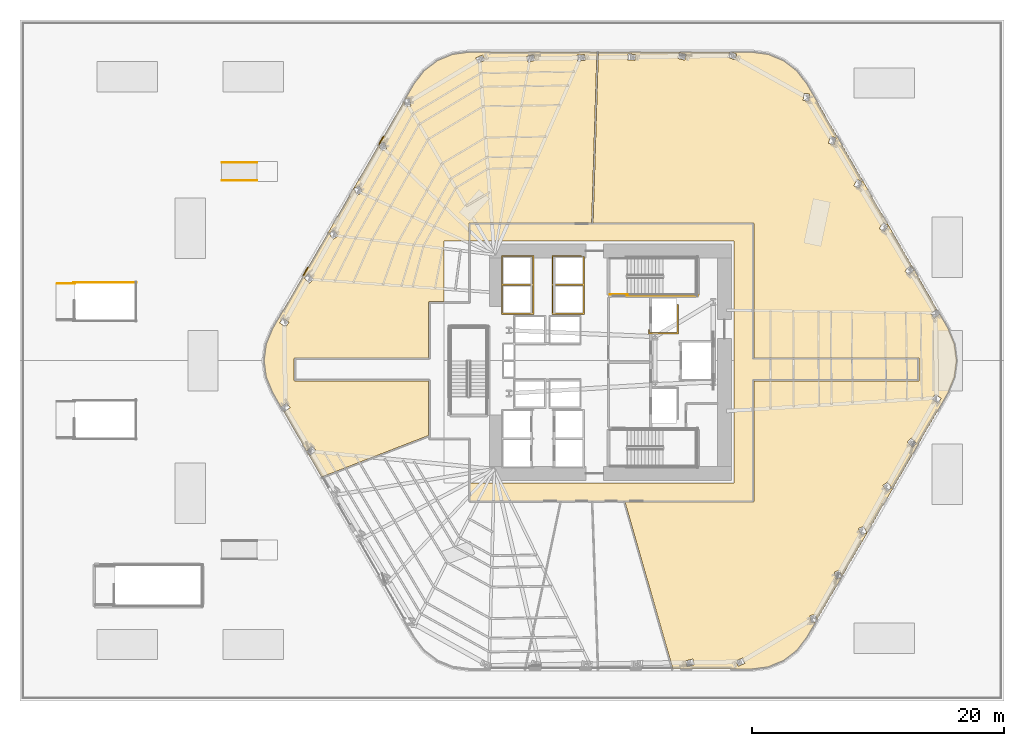
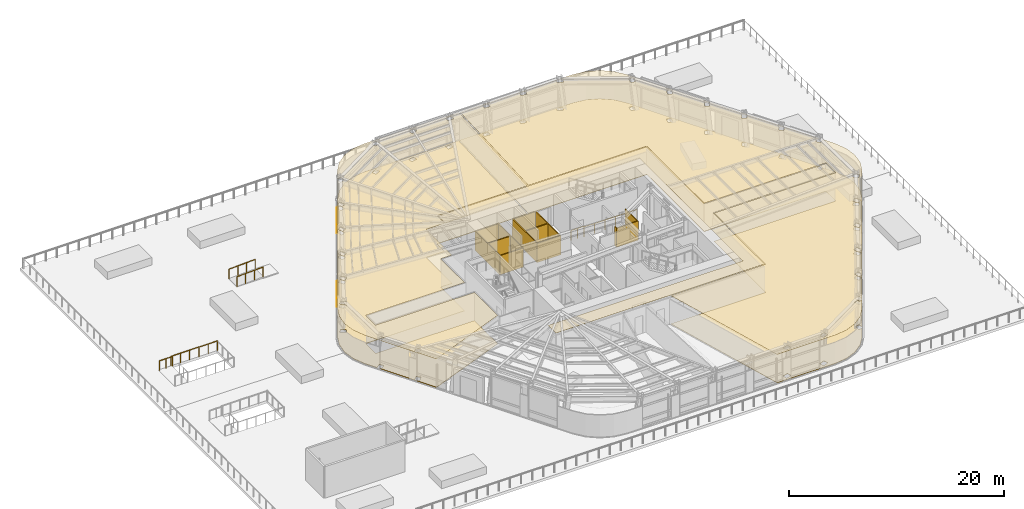
# One storey, part 14 of 18: 10 coverings, 6 railings.
"""IFC4 building model written with IfcOpenShell, lengths in metres."""

from ifc_helpers import new_model, si_unit, direction, frame, origin, origin_2d, place, context, subcontext, project, spatial, polyline, circle, outline, extrude, material, layer, layer_set, type_object, element, save


model = new_model("IFC4")

# Units and contexts
model_context = context("Model", 3, precision=1e-05, world=origin(), true_north=direction((0.0, 1.0)))
body_context = subcontext(model_context, "Body", "Model", "MODEL_VIEW")
ifc_project = project(units=[si_unit("LENGTHUNIT", "METRE"), si_unit("AREAUNIT", "SQUARE_METRE"), si_unit("VOLUMEUNIT", "CUBIC_METRE"), si_unit("PLANEANGLEUNIT", "RADIAN"), si_unit("MASSUNIT", "GRAM", prefix="KILO")], contexts=[model_context])

# Site, building, storey
site_placement = place(None, origin())
site = spatial("IfcSite", under=ifc_project, at=site_placement, CompositionType="ELEMENT")
building_placement = place(site_placement, origin())
building = spatial("IfcBuilding", under=site, at=building_placement, Name="Valkerne Bourse Tower", CompositionType="ELEMENT")
storey_placement = place(building_placement, frame((0.0, 0.0, 24.0)))
storey = spatial("IfcBuildingStorey", under=building, at=storey_placement, Name="L05", CompositionType="ELEMENT", Elevation=24.0)

# Coverings
ifc_material_1 = material(Name="Mineral Fiber Acoustic Ceiling Tile", Category="acoustic")
ifc_layer_1 = layer(ifc_material_1, 0.02490234375)
ifc_layer_set_1 = layer_set([ifc_layer_1], Name="Mineral Fiber Acoustic Ceiling Tile")
covering_type_1 = type_object("IfcCoveringType", Name="COV-CEIL-ACT", PredefinedType="CEILING", material=ifc_layer_set_1)
covering_1_placement = place(storey_placement, frame((0.0, 0.0, 3.22998046875)))
element("IfcCovering", 1, at=covering_1_placement, inside=storey, type_object=covering_type_1, Name="L05 Suspended Ceiling 06", PredefinedType="CEILING", context=body_context, shape_type="SweptSolid", body=[
    extrude(outline(polyline([(19.349609375, 27.0), (19.52197265625, 28.308349609375), (20.030517578125, 29.5361328125), (28.461669921875, 44.139404296875), (28.614990234375, 43.623779296875), (29.057373046875, 43.75341796875), (29.059814453125, 43.755859375), (28.8955078125, 44.30810546875), (28.49072265625, 44.189697265625), (30.453125, 47.5888671875), (30.51708984375, 47.1357421875), (30.9736328125, 47.19775390625), (30.9765625, 47.199951171875), (30.896240234375, 47.7705078125), (30.529296875, 47.720703125), (31.218994140625, 48.914794921875), (32.028076171875, 49.969482421875), (33.07470703125, 50.772705078125), (34.2939453125, 51.277587890625), (35.611572265625, 51.451171875), (45.728759765625, 51.451171875), (45.3115234375, 37.9189453125), (35.6494140625, 37.9189453125), (35.604248046875, 37.90185546875), (35.58740234375, 37.87890625), (35.5810546875, 37.850341796875), (35.5810546875, 36.5), (33.60009765625, 36.5), (33.60009765625, 31.6689453125), (32.449462890625, 31.6689453125), (32.419921875, 31.662109375), (32.39404296875, 31.640625), (32.381103515625, 31.6005859375), (32.381103515625, 27.218994140625), (21.79931640625, 27.218994140625), (21.763916015625, 27.208984375), (21.7373046875, 27.17919921875), (21.73095703125, 27.150390625), (21.731201171875, 25.446533203125), (21.748291015625, 25.40380859375), (21.7890625, 25.3818359375), (32.381103515625, 25.381103515625), (32.381103515625, 21.064208984375), (23.8955078125, 17.769775390625), (22.72314453125, 19.800048828125), (23.053466796875, 19.4873046875), (23.451416015625, 19.904052734375), (23.450439453125, 19.907470703125), (23.11572265625, 20.224365234375), (22.718505859375, 19.808349609375), (20.80810546875, 23.1171875), (20.95458984375, 22.9296875), (21.410400390625, 23.2822265625), (21.409912109375, 23.285888671875), (21.126220703125, 23.64892578125), (20.694091796875, 23.314697265625), (20.030517578125, 24.4638671875), (19.52197265625, 25.691650390625), (19.349609375, 27.0)]), holes=[polyline([(21.31982421875, 30.030517578125), (20.858642578125, 30.375732421875), (20.58056640625, 30.008544921875), (20.580078125, 30.0048828125), (21.041259765625, 29.6591796875), (21.3193359375, 30.026611328125), (21.31982421875, 30.030517578125)]), polyline([(23.26806640625, 33.458740234375), (23.268798828125, 33.462158203125), (22.864501953125, 33.87255859375), (22.53466796875, 33.550537109375), (22.53369140625, 33.547119140625), (22.938232421875, 33.13671875), (23.26806640625, 33.458740234375)]), polyline([(25.20849609375, 36.890625), (24.87548828125, 37.36083984375), (24.498291015625, 37.095947265625), (24.49658203125, 37.0927734375), (24.829833984375, 36.622802734375), (25.20703125, 36.8876953125), (25.20849609375, 36.890625)]), polyline([(27.136474609375, 40.3173828125), (27.138427734375, 40.3203125), (26.887451171875, 40.839111328125), (26.4716796875, 40.64013671875), (26.469482421875, 40.63720703125), (26.720703125, 40.11865234375), (27.136474609375, 40.3173828125)]), polyline([(36.316650390625, 50.571044921875), (36.844482421875, 50.79541015625), (36.66357421875, 51.221435546875), (36.66015625, 51.219970703125), (36.132080078125, 50.99560546875), (36.313232421875, 50.569580078125), (36.316650390625, 50.571044921875)]), polyline([(40.265380859375, 50.654052734375), (40.8212890625, 50.797119140625), (40.705810546875, 51.245361328125), (40.702392578125, 51.244384765625), (40.146484375, 51.10107421875), (40.261962890625, 50.653076171875), (40.265380859375, 50.654052734375)]), polyline([(44.7880859375, 50.798583984375), (44.74609375, 51.259521484375), (44.74267578125, 51.259033203125), (44.1708984375, 51.20703125), (44.212890625, 50.746337890625), (44.21630859375, 50.74658203125), (44.7880859375, 50.798583984375)])]), origin(), (0.0, 0.0, 1.0), 0.02490234375),
])
covering_2_placement = place(storey_placement, frame((0.0, 0.0, 3.22998046875)))
element("IfcCovering", 2, at=covering_2_placement, inside=storey, type_object=covering_type_1, Name="L05 Suspended Ceiling 07", PredefinedType="CEILING", context=body_context, shape_type="SweptSolid", body=[
    extrude(outline(polyline([(59.305908203125, 2.722412109375), (57.98828125, 2.548828125), (51.757080078125, 2.548828125), (47.962890625, 15.781005859375), (58.1005859375, 15.781005859375), (58.130126953125, 15.787841796875), (58.158935546875, 15.81396484375), (58.1689453125, 15.849365234375), (58.1689453125, 25.381103515625), (71.2099609375, 25.381591796875), (71.2509765625, 25.403076171875), (71.268798828125, 25.446533203125), (71.265380859375, 27.1728515625), (71.24072265625, 27.205810546875), (71.20068359375, 27.218994140625), (58.1689453125, 27.218994140625), (58.1689453125, 37.850341796875), (58.16259765625, 37.87890625), (58.145751953125, 37.90185546875), (58.1005859375, 37.9189453125), (45.4296875, 37.9189453125), (45.846923828125, 51.451171875), (56.271484375, 51.451171875), (56.111572265625, 51.058349609375), (56.114990234375, 51.056884765625), (56.646484375, 50.8408203125), (56.82080078125, 51.269287109375), (56.8173828125, 51.270751953125), (56.3740234375, 51.451171875), (57.98828125, 51.451171875), (59.305908203125, 51.277587890625), (60.525146484375, 50.772705078125), (61.572021484375, 49.969482421875), (62.381103515625, 48.914794921875), (70.876708984375, 34.199951171875), (70.546630859375, 34.5126953125), (70.1484375, 34.095947265625), (70.1494140625, 34.092529296875), (70.484130859375, 33.775634765625), (70.881591796875, 34.191650390625), (72.7919921875, 30.8828125), (72.645263671875, 31.0703125), (72.189697265625, 30.7177734375), (72.190185546875, 30.714111328125), (72.473876953125, 30.35107421875), (72.906005859375, 30.685302734375), (73.569580078125, 29.5361328125), (74.078125, 28.308349609375), (74.25048828125, 27.0), (74.078125, 25.691650390625), (73.569580078125, 24.4638671875), (65.13818359375, 9.860595703125), (64.98486328125, 10.376220703125), (64.54248046875, 10.24658203125), (64.5400390625, 10.244140625), (64.70458984375, 9.69189453125), (65.109130859375, 9.810302734375), (63.146728515625, 6.4111328125), (63.0830078125, 6.8642578125), (62.62646484375, 6.80224609375), (62.623291015625, 6.800048828125), (62.703857421875, 6.2294921875), (63.070556640625, 6.279296875), (62.381103515625, 5.085205078125), (61.572021484375, 4.030517578125), (60.525146484375, 3.227294921875), (59.305908203125, 2.722412109375)]), holes=[polyline([(53.453369140625, 2.89892578125), (53.337890625, 3.346923828125), (53.33447265625, 3.345947265625), (52.77880859375, 3.202880859375), (52.894287109375, 2.754638671875), (52.897705078125, 2.755615234375), (53.453369140625, 2.89892578125)]), polyline([(48.780517578125, 51.265380859375), (48.2080078125, 51.30859375), (48.204345703125, 51.308837890625), (48.169677734375, 50.847412109375), (48.7421875, 50.804443359375), (48.74560546875, 50.80419921875), (48.780517578125, 51.265380859375)]), polyline([(52.8056640625, 51.267333984375), (52.802001953125, 51.268310546875), (52.244140625, 51.40283203125), (52.1357421875, 50.952880859375), (52.13916015625, 50.9521484375), (52.697265625, 50.817626953125), (52.8056640625, 51.267333984375)]), polyline([(57.4677734375, 3.00439453125), (57.286865234375, 3.430419921875), (56.7587890625, 3.2060546875), (56.75537109375, 3.20458984375), (56.936279296875, 2.778564453125), (57.46435546875, 3.0029296875), (57.4677734375, 3.00439453125)]), polyline([(67.13037109375, 13.36279296875), (66.87939453125, 13.88134765625), (66.463623046875, 13.6826171875), (66.461669921875, 13.6796875), (66.712646484375, 13.160888671875), (67.12841796875, 13.35986328125), (67.13037109375, 13.36279296875)]), polyline([(69.101806640625, 16.904052734375), (69.103271484375, 16.9072265625), (68.77001953125, 17.377197265625), (68.392822265625, 17.1123046875), (68.391357421875, 17.109375), (68.724609375, 16.63916015625), (69.101806640625, 16.904052734375)]), polyline([(71.065185546875, 20.449462890625), (71.06640625, 20.452880859375), (70.661865234375, 20.86328125), (70.33203125, 20.541259765625), (70.3310546875, 20.537841796875), (70.735595703125, 20.12744140625), (71.065185546875, 20.449462890625)]), polyline([(73.019775390625, 23.9951171875), (72.55859375, 24.3408203125), (72.280517578125, 23.973388671875), (72.2802734375, 23.969482421875), (72.7412109375, 23.624267578125), (73.019287109375, 23.991455078125), (73.019775390625, 23.9951171875)]), polyline([(68.82373046875, 37.6875), (68.4423828125, 37.9462890625), (68.11669921875, 37.470947265625), (68.1181640625, 37.4677734375), (68.49951171875, 37.208984375), (68.825439453125, 37.684326171875), (68.82373046875, 37.6875)]), polyline([(66.758544921875, 41.1748046875), (66.756591796875, 41.177490234375), (66.337646484375, 41.3701171875), (66.094970703125, 40.847412109375), (66.096923828125, 40.844482421875), (66.515869140625, 40.652099609375), (66.758544921875, 41.1748046875)]), polyline([(64.683837890625, 44.659423828125), (64.681396484375, 44.662109375), (64.23681640625, 44.784423828125), (64.081298828125, 44.2294921875), (64.083740234375, 44.22705078125), (64.528076171875, 44.1044921875), (64.683837890625, 44.659423828125)]), polyline([(62.601318359375, 48.137451171875), (62.143798828125, 48.1923828125), (62.072265625, 47.62060546875), (62.075439453125, 47.618408203125), (62.53271484375, 47.5634765625), (62.604248046875, 48.13525390625), (62.601318359375, 48.137451171875)])]), origin(), (0.0, 0.0, 1.0), 0.02490234375),
])
ifc_material_2 = material(Name="Bronze Anodised Aluminium AA 6063-T6", Category="aluminium")
ifc_layer_2 = layer(ifc_material_2, 0.030029296875)
ifc_layer_set_2 = layer_set([ifc_layer_2], Name="Bronze Anodised Aluminium AA 6063-T6")
covering_type_2 = type_object("IfcCoveringType", Name="COV-CEIL-METAL", PredefinedType="CEILING", material=ifc_layer_set_2)
covering_3_placement = place(storey_placement, frame((0.0, 0.0, 3.22998046875)))
element("IfcCovering", 3, at=covering_3_placement, inside=storey, type_object=covering_type_2, Name="L05 Suspended Ceiling 01", PredefinedType="CEILING", context=body_context, shape_type="SweptSolid", body=[
    extrude(outline(polyline([(71.196044921875, 27.14599609375), (71.196044921875, 25.4541015625), (58.095947265625, 25.4541015625), (58.095947265625, 15.85400390625), (35.654052734375, 15.85400390625), (35.654052734375, 17.300048828125), (56.60009765625, 17.300048828125), (56.60009765625, 36.5), (35.654052734375, 36.5), (35.654052734375, 37.845947265625), (58.095947265625, 37.845947265625), (58.095947265625, 27.14599609375), (71.196044921875, 27.14599609375)])), origin(), (0.0, 0.0, 1.0), 0.02490234375),
])
ifc_layer_3 = layer(ifc_material_2, 0.06005859375)
ifc_layer_set_3 = layer_set([ifc_layer_3], Name="Bronze Anodised Aluminium AA 6063-T6")
covering_type_3 = type_object("IfcCoveringType", Name="COV-CRN-ALUM", PredefinedType="CLADDING", material=ifc_layer_set_3)
covering_4_placement = place(storey_placement, origin())
element("IfcCovering", 4, at=covering_4_placement, inside=storey, type_object=covering_type_3, Name="L05 Wind-Shaped Corner Aluminium Cladding 12", PredefinedType="CLADDING", context=body_context, shape_type="SweptSolid", body=[
    extrude(outline(polyline([(22.799560546875, 34.42041015625), (22.868896484375, 34.38037109375), (22.448974609375, 33.65283203125), (22.379638671875, 33.69287109375), (22.799560546875, 34.42041015625)])), origin(), (0.0, 0.0, 1.0), 2.5),
])
covering_5_placement = place(storey_placement, origin())
element("IfcCovering", 5, at=covering_5_placement, inside=storey, type_object=covering_type_3, Name="L05 Wind-Shaped Corner Aluminium Cladding 15", PredefinedType="CLADDING", context=body_context, shape_type="SweptSolid", body=[
    extrude(outline(polyline([(28.793701171875, 44.80224609375), (28.86279296875, 44.76220703125), (28.44287109375, 44.034912109375), (28.373779296875, 44.074951171875), (28.793701171875, 44.80224609375)])), origin(), (0.0, 0.0, 1.0), 2.5),
])
ifc_material_3 = material(Name="Galvanised Painted Steel", Category="steel")
ifc_layer_4 = layer(ifc_material_3, 0.044921875)
ifc_layer_set_4 = layer_set([ifc_layer_4], Name="Galvanised Painted Steel")
covering_type_4 = type_object("IfcCoveringType", Name="COV-FLR-RAF", PredefinedType="FLOORING", material=ifc_layer_set_4)
covering_6_placement = place(storey_placement, origin())
element("IfcCovering", 6, at=covering_6_placement, inside=storey, type_object=covering_type_4, Name="L05 Floor Finish 06", PredefinedType="FLOORING", context=body_context, shape_type="SweptSolid", body=[
    extrude(outline(polyline([(19.349609375, 27.0), (19.52197265625, 28.308349609375), (20.030517578125, 29.5361328125), (28.461669921875, 44.139404296875), (28.614990234375, 43.623779296875), (29.057373046875, 43.75341796875), (29.059814453125, 43.755859375), (28.8955078125, 44.30810546875), (28.49072265625, 44.189697265625), (30.453125, 47.5888671875), (30.51708984375, 47.1357421875), (30.9736328125, 47.19775390625), (30.9765625, 47.199951171875), (30.896240234375, 47.7705078125), (30.529296875, 47.720703125), (31.218994140625, 48.914794921875), (32.028076171875, 49.969482421875), (33.07470703125, 50.772705078125), (34.2939453125, 51.277587890625), (35.611572265625, 51.451171875), (45.728759765625, 51.451171875), (45.3115234375, 37.9189453125), (35.6494140625, 37.9189453125), (35.604248046875, 37.90185546875), (35.58740234375, 37.87890625), (35.5810546875, 37.850341796875), (35.5810546875, 36.5), (33.60009765625, 36.5), (33.60009765625, 31.6689453125), (32.449462890625, 31.6689453125), (32.419921875, 31.662109375), (32.39404296875, 31.640625), (32.381103515625, 31.6005859375), (32.381103515625, 27.218994140625), (21.79931640625, 27.218994140625), (21.763916015625, 27.208984375), (21.7373046875, 27.17919921875), (21.73095703125, 27.150390625), (21.731201171875, 25.446533203125), (21.748291015625, 25.40380859375), (21.7890625, 25.3818359375), (32.381103515625, 25.381103515625), (32.381103515625, 21.064208984375), (23.8955078125, 17.769775390625), (22.72314453125, 19.800048828125), (23.053466796875, 19.4873046875), (23.451416015625, 19.904052734375), (23.450439453125, 19.907470703125), (23.11572265625, 20.224365234375), (22.718505859375, 19.808349609375), (20.80810546875, 23.1171875), (20.95458984375, 22.9296875), (21.410400390625, 23.2822265625), (21.409912109375, 23.285888671875), (21.126220703125, 23.64892578125), (20.694091796875, 23.314697265625), (20.030517578125, 24.4638671875), (19.52197265625, 25.691650390625), (19.349609375, 27.0)]), holes=[polyline([(21.31982421875, 30.030517578125), (20.858642578125, 30.375732421875), (20.58056640625, 30.008544921875), (20.580078125, 30.0048828125), (21.041259765625, 29.6591796875), (21.3193359375, 30.026611328125), (21.31982421875, 30.030517578125)]), polyline([(23.26806640625, 33.458740234375), (23.268798828125, 33.462158203125), (22.864501953125, 33.87255859375), (22.53466796875, 33.550537109375), (22.53369140625, 33.547119140625), (22.938232421875, 33.13671875), (23.26806640625, 33.458740234375)]), polyline([(25.20849609375, 36.890625), (24.87548828125, 37.36083984375), (24.498291015625, 37.095947265625), (24.49658203125, 37.0927734375), (24.829833984375, 36.622802734375), (25.20703125, 36.8876953125), (25.20849609375, 36.890625)]), polyline([(27.136474609375, 40.3173828125), (27.138427734375, 40.3203125), (26.887451171875, 40.839111328125), (26.4716796875, 40.64013671875), (26.469482421875, 40.63720703125), (26.720703125, 40.11865234375), (27.136474609375, 40.3173828125)]), polyline([(36.316650390625, 50.571044921875), (36.844482421875, 50.79541015625), (36.66357421875, 51.221435546875), (36.66015625, 51.219970703125), (36.132080078125, 50.99560546875), (36.313232421875, 50.569580078125), (36.316650390625, 50.571044921875)]), polyline([(40.265380859375, 50.654052734375), (40.8212890625, 50.797119140625), (40.705810546875, 51.245361328125), (40.702392578125, 51.244384765625), (40.146484375, 51.10107421875), (40.261962890625, 50.653076171875), (40.265380859375, 50.654052734375)]), polyline([(44.7880859375, 50.798583984375), (44.74609375, 51.259521484375), (44.74267578125, 51.259033203125), (44.1708984375, 51.20703125), (44.212890625, 50.746337890625), (44.21630859375, 50.74658203125), (44.7880859375, 50.798583984375)])]), origin(), (0.0, 0.0, 1.0), 0.044921875),
])
covering_7_placement = place(storey_placement, origin())
element("IfcCovering", 7, at=covering_7_placement, inside=storey, type_object=covering_type_4, Name="L05 Floor Finish 07", PredefinedType="FLOORING", context=body_context, shape_type="SweptSolid", body=[
    extrude(outline(polyline([(59.305908203125, 2.722412109375), (57.98828125, 2.548828125), (51.757080078125, 2.548828125), (47.962890625, 15.781005859375), (58.1005859375, 15.781005859375), (58.130126953125, 15.787841796875), (58.158935546875, 15.81396484375), (58.1689453125, 15.849365234375), (58.1689453125, 25.381103515625), (71.2099609375, 25.381591796875), (71.2509765625, 25.403076171875), (71.268798828125, 25.446533203125), (71.265380859375, 27.1728515625), (71.24072265625, 27.205810546875), (71.20068359375, 27.218994140625), (58.1689453125, 27.218994140625), (58.1689453125, 37.850341796875), (58.16259765625, 37.87890625), (58.145751953125, 37.90185546875), (58.1005859375, 37.9189453125), (45.4296875, 37.9189453125), (45.846923828125, 51.451171875), (56.271484375, 51.451171875), (56.111572265625, 51.058349609375), (56.114990234375, 51.056884765625), (56.646484375, 50.8408203125), (56.82080078125, 51.269287109375), (56.8173828125, 51.270751953125), (56.3740234375, 51.451171875), (57.98828125, 51.451171875), (59.305908203125, 51.277587890625), (60.525146484375, 50.772705078125), (61.572021484375, 49.969482421875), (62.381103515625, 48.914794921875), (70.876708984375, 34.199951171875), (70.546630859375, 34.5126953125), (70.1484375, 34.095947265625), (70.1494140625, 34.092529296875), (70.484130859375, 33.775634765625), (70.881591796875, 34.191650390625), (72.7919921875, 30.8828125), (72.645263671875, 31.0703125), (72.189697265625, 30.7177734375), (72.190185546875, 30.714111328125), (72.473876953125, 30.35107421875), (72.906005859375, 30.685302734375), (73.569580078125, 29.5361328125), (74.078125, 28.308349609375), (74.25048828125, 27.0), (74.078125, 25.691650390625), (73.569580078125, 24.4638671875), (65.13818359375, 9.860595703125), (64.98486328125, 10.376220703125), (64.54248046875, 10.24658203125), (64.5400390625, 10.244140625), (64.70458984375, 9.69189453125), (65.109130859375, 9.810302734375), (63.146728515625, 6.4111328125), (63.0830078125, 6.8642578125), (62.62646484375, 6.80224609375), (62.623291015625, 6.800048828125), (62.703857421875, 6.2294921875), (63.070556640625, 6.279296875), (62.381103515625, 5.085205078125), (61.572021484375, 4.030517578125), (60.525146484375, 3.227294921875), (59.305908203125, 2.722412109375)]), holes=[polyline([(53.453369140625, 2.89892578125), (53.337890625, 3.346923828125), (53.33447265625, 3.345947265625), (52.77880859375, 3.202880859375), (52.894287109375, 2.754638671875), (52.897705078125, 2.755615234375), (53.453369140625, 2.89892578125)]), polyline([(48.780517578125, 51.265380859375), (48.2080078125, 51.30859375), (48.204345703125, 51.308837890625), (48.169677734375, 50.847412109375), (48.7421875, 50.804443359375), (48.74560546875, 50.80419921875), (48.780517578125, 51.265380859375)]), polyline([(52.8056640625, 51.267333984375), (52.802001953125, 51.268310546875), (52.244140625, 51.40283203125), (52.1357421875, 50.952880859375), (52.13916015625, 50.9521484375), (52.697265625, 50.817626953125), (52.8056640625, 51.267333984375)]), polyline([(57.4677734375, 3.00439453125), (57.286865234375, 3.430419921875), (56.7587890625, 3.2060546875), (56.75537109375, 3.20458984375), (56.936279296875, 2.778564453125), (57.46435546875, 3.0029296875), (57.4677734375, 3.00439453125)]), polyline([(67.13037109375, 13.36279296875), (66.87939453125, 13.88134765625), (66.463623046875, 13.6826171875), (66.461669921875, 13.6796875), (66.712646484375, 13.160888671875), (67.12841796875, 13.35986328125), (67.13037109375, 13.36279296875)]), polyline([(69.101806640625, 16.904052734375), (69.103271484375, 16.9072265625), (68.77001953125, 17.377197265625), (68.392822265625, 17.1123046875), (68.391357421875, 17.109375), (68.724609375, 16.63916015625), (69.101806640625, 16.904052734375)]), polyline([(71.065185546875, 20.449462890625), (71.06640625, 20.452880859375), (70.661865234375, 20.86328125), (70.33203125, 20.541259765625), (70.3310546875, 20.537841796875), (70.735595703125, 20.12744140625), (71.065185546875, 20.449462890625)]), polyline([(73.019775390625, 23.9951171875), (72.55859375, 24.3408203125), (72.280517578125, 23.973388671875), (72.2802734375, 23.969482421875), (72.7412109375, 23.624267578125), (73.019287109375, 23.991455078125), (73.019775390625, 23.9951171875)]), polyline([(68.82373046875, 37.6875), (68.4423828125, 37.9462890625), (68.11669921875, 37.470947265625), (68.1181640625, 37.4677734375), (68.49951171875, 37.208984375), (68.825439453125, 37.684326171875), (68.82373046875, 37.6875)]), polyline([(66.758544921875, 41.1748046875), (66.756591796875, 41.177490234375), (66.337646484375, 41.3701171875), (66.094970703125, 40.847412109375), (66.096923828125, 40.844482421875), (66.515869140625, 40.652099609375), (66.758544921875, 41.1748046875)]), polyline([(64.683837890625, 44.659423828125), (64.681396484375, 44.662109375), (64.23681640625, 44.784423828125), (64.081298828125, 44.2294921875), (64.083740234375, 44.22705078125), (64.528076171875, 44.1044921875), (64.683837890625, 44.659423828125)]), polyline([(62.601318359375, 48.137451171875), (62.143798828125, 48.1923828125), (62.072265625, 47.62060546875), (62.075439453125, 47.618408203125), (62.53271484375, 47.5634765625), (62.604248046875, 48.13525390625), (62.601318359375, 48.137451171875)])]), origin(), (0.0, 0.0, 1.0), 0.044921875),
])
ifc_material_4 = material(Name="Gypsum Shaftwall Liner Board", Category="gypsum")
ifc_layer_5 = layer(ifc_material_4, 0.080078125)
ifc_layer_set_5 = layer_set([ifc_layer_5], Name="Gypsum Shaftwall Liner Board")
covering_type_5 = type_object("IfcCoveringType", Name="COV-SHF-CLAD", PredefinedType="CLADDING", material=ifc_layer_set_5)
covering_8_placement = place(storey_placement, origin())
element("IfcCovering", 8, at=covering_8_placement, inside=storey, type_object=covering_type_5, Name="L05 Hoistway & Riser Shaftwall Liner 04", PredefinedType="CLADDING", context=body_context, shape_type="SweptSolid", body=[
    extrude(outline(polyline([(40.72998046875, 35.330078125), (40.72998046875, 33.030029296875), (40.72998046875, 32.969970703125), (40.72998046875, 30.669921875), (38.169921875, 30.669921875), (38.169921875, 32.969970703125), (38.169921875, 33.030029296875), (38.169921875, 35.330078125), (40.72998046875, 35.330078125)]), holes=[polyline([(38.260009765625, 30.760009765625), (40.639892578125, 30.760009765625), (40.639892578125, 32.93994140625), (38.260009765625, 32.93994140625), (38.260009765625, 30.760009765625)]), polyline([(38.260009765625, 33.06005859375), (40.639892578125, 33.06005859375), (40.639892578125, 35.239990234375), (38.260009765625, 35.239990234375), (38.260009765625, 33.06005859375)])]), origin(), (0.0, 0.0, 1.0), 2.179931640625),
])
covering_9_placement = place(storey_placement, origin())
element("IfcCovering", 9, at=covering_9_placement, inside=storey, type_object=covering_type_5, Name="L05 Hoistway & Riser Shaftwall Liner 11", PredefinedType="CLADDING", context=body_context, shape_type="SweptSolid", body=[
    extrude(outline(polyline([(49.820068359375, 29.1201171875), (49.820068359375, 29.468017578125), (49.827880859375, 29.46435546875), (49.869384765625, 29.449462890625), (49.909912109375, 29.439208984375), (49.909912109375, 29.2099609375), (52.090087890625, 29.2099609375), (52.090087890625, 31.449951171875), (52.179931640625, 31.449951171875), (52.179931640625, 29.1201171875), (49.820068359375, 29.1201171875)])), origin(), (0.0, 0.0, 1.0), 2.179931640625),
])
covering_10_placement = place(storey_placement, origin())
element("IfcCovering", 10, at=covering_10_placement, inside=storey, type_object=covering_type_5, Name="L05 Hoistway & Riser Shaftwall Liner 12", PredefinedType="CLADDING", context=body_context, shape_type="SweptSolid", body=[
    extrude(outline(polyline([(44.474365234375, 35.330078125), (44.47998046875, 35.32568359375), (44.517822265625, 35.302978515625), (44.557861328125, 35.2841796875), (44.599365234375, 35.269287109375), (44.64208984375, 35.258544921875), (44.685791015625, 35.252197265625), (44.72998046875, 35.25), (44.72998046875, 33.030029296875), (44.72998046875, 32.969970703125), (44.72998046875, 30.669921875), (42.169921875, 30.669921875), (42.169921875, 32.969970703125), (42.169921875, 33.030029296875), (42.169921875, 35.330078125), (44.474365234375, 35.330078125)]), holes=[polyline([(42.260009765625, 30.760009765625), (44.639892578125, 30.760009765625), (44.639892578125, 32.93994140625), (42.260009765625, 32.93994140625), (42.260009765625, 30.760009765625)]), polyline([(42.260009765625, 33.06005859375), (44.639892578125, 33.06005859375), (44.639892578125, 35.239990234375), (42.260009765625, 35.239990234375), (42.260009765625, 33.06005859375)])]), origin(), (0.0, 0.0, 1.0), 2.179931640625),
])

# Railings
ifc_material_5 = material(Name="Laminated Tempered Safety Glass", Category="glass")
railing_type_1 = type_object("IfcRailingType", Name="RLG-GUARD-1150", PredefinedType="BALUSTRADE", material=ifc_material_5)
for number, where, name in (
    (11, (16.0, 41.280029296875, 0.0), "L05 Accessible Ramp RMP-PED-04 Railing 1"),
    (12, (16.0, 42.719970703125, 0.0), "L05 Accessible Ramp RMP-PED-04 Railing 2"),
):
    element("IfcRailing", number, at=place(storey_placement, frame(where)), inside=storey, type_object=railing_type_1, Name=name, PredefinedType="BALUSTRADE", context=body_context, shape_type="SweptSolid", body=[
        extrude(circle(Radius=0.02392578125, at=origin_2d()), frame((0.0, 0.0, 1.1259765625), z_axis=(0.999081138197, 0.0, 0.042858829889), x_axis=(0.0, 1.0, 0.0)), (0.0, 0.0, 1.0), 2.802734375),
        extrude(circle(Radius=0.02099609375, at=origin_2d()), origin(), (0.0, 0.0, 1.0), 1.101806640625),
        extrude(circle(Radius=0.02099609375, at=origin_2d()), frame((0.933349609375, 0.0, 0.0400390625)), (0.0, 0.0, 1.0), 1.101806640625),
        extrude(circle(Radius=0.02099609375, at=origin_2d()), frame((1.86669921875, 0.0, 0.080078125)), (0.0, 0.0, 1.0), 1.101806640625),
        extrude(circle(Radius=0.02099609375, at=origin_2d()), frame((2.800048828125, 0.0, 0.1201171875)), (0.0, 0.0, 1.0), 1.101806640625),
    ])
railing_type_2 = type_object("IfcRailingType", Name="RLG-ST-GUARD-1120", PredefinedType="GUARDRAIL", material=ifc_material_3)
railing_1_placement = place(storey_placement, frame((46.75, 32.25, 0.0)))
element("IfcRailing", 13, at=railing_1_placement, inside=storey, type_object=railing_type_2, Name="L05 ST-2 stair guard 8", PredefinedType="GUARDRAIL", context=body_context, shape_type="SweptSolid", body=[
    extrude(circle(Radius=0.02392578125, at=origin_2d()), frame((0.0, 0.0, 1.09619140625), z_axis=(1.0, 0.0, 0.0), x_axis=(0.0, 1.0, 0.0)), (0.0, 0.0, 1.0), 1.39990234375),
    extrude(circle(Radius=0.02099609375, at=origin_2d()), origin(), (0.0, 0.0, 1.0), 1.072021484375),
    extrude(circle(Radius=0.02099609375, at=origin_2d()), frame((0.699951171875, 0.0, 0.0)), (0.0, 0.0, 1.0), 1.072021484375),
    extrude(circle(Radius=0.02099609375, at=origin_2d()), frame((1.39990234375, 0.0, 0.0)), (0.0, 0.0, 1.0), 1.072021484375),
])
railing_2_placement = place(storey_placement, frame((48.050048828125, 32.14990234375, 0.0)))
element("IfcRailing", 14, at=railing_2_placement, inside=storey, type_object=railing_type_2, Name="L05 ST-2 stair guard 10", PredefinedType="GUARDRAIL", context=body_context, shape_type="SweptSolid", body=[
    extrude(circle(Radius=0.02392578125, at=origin_2d()), frame((0.0, 0.0, 1.09619140625), z_axis=(1.0, 0.0, 0.0), x_axis=(0.0, 1.0, 0.0)), (0.0, 0.0, 1.0), 5.699951171875),
    extrude(circle(Radius=0.02099609375, at=origin_2d()), origin(), (0.0, 0.0, 1.0), 1.072021484375),
    extrude(circle(Radius=0.02099609375, at=origin_2d()), frame((1.139892578125, 0.0, 0.0)), (0.0, 0.0, 1.0), 1.072021484375),
    extrude(circle(Radius=0.02099609375, at=origin_2d()), frame((2.280029296875, 0.0, 0.0)), (0.0, 0.0, 1.0), 1.072021484375),
    extrude(circle(Radius=0.02099609375, at=origin_2d()), frame((3.419921875, 0.0, 0.0)), (0.0, 0.0, 1.0), 1.072021484375),
    extrude(circle(Radius=0.02099609375, at=origin_2d()), frame((4.56005859375, 0.0, 0.0)), (0.0, 0.0, 1.0), 1.072021484375),
    extrude(circle(Radius=0.02099609375, at=origin_2d()), frame((5.699951171875, 0.0, 0.0)), (0.0, 0.0, 1.0), 1.072021484375),
])
railing_3_placement = place(storey_placement, frame((4.25, 33.199951171875, 0.0)))
element("IfcRailing", 15, at=railing_3_placement, inside=storey, type_object=railing_type_2, Name="L05 ST-G2 top well guard 3", PredefinedType="GUARDRAIL", context=body_context, shape_type="SweptSolid", body=[
    extrude(circle(Radius=0.02392578125, at=origin_2d()), frame((0.0, 0.0, 1.09619140625), z_axis=(1.0, 0.0, 0.0), x_axis=(0.0, 1.0, 0.0)), (0.0, 0.0, 1.0), 5.0),
    extrude(circle(Radius=0.02099609375, at=origin_2d()), origin(), (0.0, 0.0, 1.0), 1.072021484375),
    extrude(circle(Radius=0.02099609375, at=origin_2d()), frame((1.0, 0.0, 0.0)), (0.0, 0.0, 1.0), 1.072021484375),
    extrude(circle(Radius=0.02099609375, at=origin_2d()), frame((2.0, 0.0, 0.0)), (0.0, 0.0, 1.0), 1.072021484375),
    extrude(circle(Radius=0.02099609375, at=origin_2d()), frame((3.0, 0.0, 0.0)), (0.0, 0.0, 1.0), 1.072021484375),
    extrude(circle(Radius=0.02099609375, at=origin_2d()), frame((4.0, 0.0, 0.0)), (0.0, 0.0, 1.0), 1.072021484375),
    extrude(circle(Radius=0.02099609375, at=origin_2d()), frame((5.0, 0.0, 0.0)), (0.0, 0.0, 1.0), 1.072021484375),
])
railing_4_placement = place(storey_placement, frame((2.949951171875, 33.10009765625, 0.0)))
element("IfcRailing", 16, at=railing_4_placement, inside=storey, type_object=railing_type_2, Name="L05 ST-G2 top well guard 6", PredefinedType="GUARDRAIL", context=body_context, shape_type="SweptSolid", body=[
    extrude(circle(Radius=0.02392578125, at=origin_2d()), frame((0.0, 0.0, 1.09619140625), z_axis=(1.0, 0.0, 0.0), x_axis=(0.0, 1.0, 0.0)), (0.0, 0.0, 1.0), 1.400146484375),
    extrude(circle(Radius=0.02099609375, at=origin_2d()), origin(), (0.0, 0.0, 1.0), 1.072021484375),
    extrude(circle(Radius=0.02099609375, at=origin_2d()), frame((0.7001953125, 0.0, 0.0)), (0.0, 0.0, 1.0), 1.072021484375),
    extrude(circle(Radius=0.02099609375, at=origin_2d()), frame((1.400146484375, 0.0, 0.0)), (0.0, 0.0, 1.0), 1.072021484375),
])

save(model, "model.ifc")
